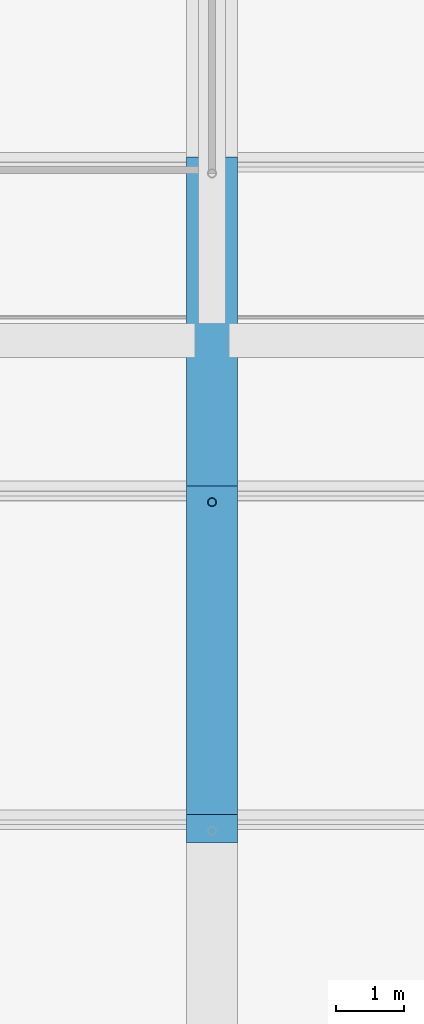
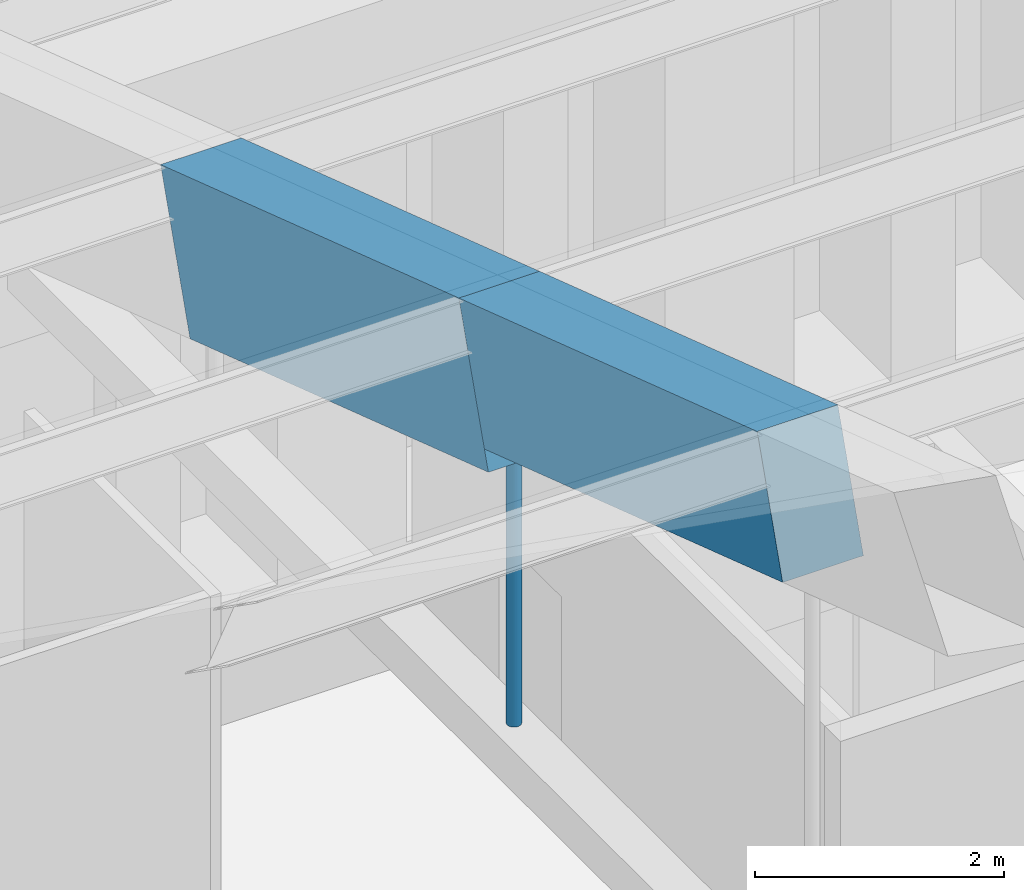
# One storey, part 84 of 149: 2 beams, 1 member.
"""IFC4 building model written with IfcOpenShell, lengths in metres."""

import ifcopenshell
import ifcopenshell.guid

model = None  # the IFC model being written
_history = None  # IfcOwnerHistory: only IFC2X3 demands one
_inside = {}  # id of a spatial element -> (the spatial element, [elements in it])
_under = {}  # id of a project, library or spatial element -> (it, [spatial elements below it])
_declared = {}  # id of a project -> (the project, [libraries it declares])
_typed = {}  # id of a type object -> (the type object, [elements of that type])
_made_of = {}  # id of a material, layer set ... -> (it, [elements and type objects made of it])


def new_model(schema):
    """Start an empty IFC model of exactly this schema.

    Asked for "IFC4X3", IfcOpenShell would pick the latest addendum, in which some entities
    have other attributes; the version numbers below select the first issue.
    IFC2X3 requires an IfcOwnerHistory on every rooted entity: one is made here for all.
    """
    global model, _history
    if schema == "IFC4X3":
        model = ifcopenshell.file(schema_version=(4, 3, 0, 0))
    else:
        model = ifcopenshell.file(schema=schema)
    _inside.clear()
    _under.clear()
    _declared.clear()
    _typed.clear()
    _made_of.clear()
    _history = None
    if model.schema == "IFC2X3":
        org = make("IfcOrganization", Name="unknown")
        user = make(
            "IfcPersonAndOrganization",
            ThePerson=make("IfcPerson", FamilyName="unknown"),
            TheOrganization=org,
        )
        app = make(
            "IfcApplication",
            ApplicationDeveloper=org,
            Version="unknown",
            ApplicationFullName="unknown",
            ApplicationIdentifier="unknown",
        )
        _history = make(
            "IfcOwnerHistory",
            OwningUser=user,
            OwningApplication=app,
            ChangeAction="ADDED",
            CreationDate=0,
        )
    return model


def make(cls, **values):
    """One entity of the class cls with the attributes given. An attribute that is None is left unset."""
    return model.create_entity(
        cls, **{name: value for name, value in values.items() if value is not None}
    )


def rooted(cls, **values):
    """An entity with a GlobalId (a new one), such as an element, a storey or a relation."""
    return make(cls, GlobalId=ifcopenshell.guid.new(), OwnerHistory=_history, **values)


def si_unit(unit_type, name, prefix=None):
    """IfcSIUnit, for example si_unit("LENGTHUNIT", "METRE", prefix="MILLI")."""
    return make("IfcSIUnit", UnitType=unit_type, Prefix=prefix, Name=name)


def assignment(units):
    """IfcUnitAssignment: the units of a project."""
    return None if units is None else make("IfcUnitAssignment", Units=units)


def point(xyz):
    """IfcCartesianPoint."""
    return None if xyz is None else make("IfcCartesianPoint", Coordinates=xyz)


def direction(xyz):
    """IfcDirection."""
    return None if xyz is None else make("IfcDirection", DirectionRatios=xyz)


def frame(location, z_axis=None, x_axis=None):
    """IfcAxis2Placement3D, a coordinate frame: its origin and axes. An axis left out is left unset."""
    return make(
        "IfcAxis2Placement3D",
        Location=point(location),
        Axis=direction(z_axis),
        RefDirection=direction(x_axis),
    )


def frame_2d(location, x_axis=None):
    """IfcAxis2Placement2D, a coordinate frame in the plane: its origin and x axis."""
    return make(
        "IfcAxis2Placement2D", Location=point(location), RefDirection=direction(x_axis)
    )


def origin():
    """The frame at (0, 0, 0) with its axes left unset."""
    return frame((0.0, 0.0, 0.0))


def origin_2d():
    """The frame at (0, 0) in the plane with its x axis left unset."""
    return frame_2d((0.0, 0.0))


def place(relative_to, where):
    """IfcLocalPlacement: puts the frame where relative to a parent placement (None: the world)."""
    return make(
        "IfcLocalPlacement", PlacementRelTo=relative_to, RelativePlacement=where
    )


def context(
    kind, dimensions, precision=None, world=None, true_north=None, identifier=None
):
    """IfcGeometricRepresentationContext, for example the 3D "Model" context."""
    return make(
        "IfcGeometricRepresentationContext",
        ContextIdentifier=identifier,
        ContextType=kind,
        CoordinateSpaceDimension=dimensions,
        Precision=precision,
        WorldCoordinateSystem=world,
        TrueNorth=true_north,
    )


def subcontext(parent, identifier, kind, view, scale=None):
    """IfcGeometricRepresentationSubContext, for example "Body" below "Model"."""
    return make(
        "IfcGeometricRepresentationSubContext",
        ContextIdentifier=identifier,
        ContextType=kind,
        ParentContext=parent,
        TargetScale=scale,
        TargetView=view,
    )


def project(units=None, contexts=None):
    """IfcProject with its units and contexts."""
    return rooted(
        "IfcProject",
        Name="project",
        RepresentationContexts=contexts,
        UnitsInContext=assignment(units),
    )


def spatial(cls, under=None, at=None, **own):
    """A site, building, storey or space (cls), placed at a placement, below another one or the project."""
    s = rooted(cls, ObjectPlacement=at, **own)
    if under is not None:
        _under.setdefault(under.id(), (under, []))[1].append(s)
    return s


def profile(cls, at=None, kind="AREA", **sizes):
    """A parametric profile (cls). Its sizes go by their IFC names, for example OverallWidth=200.0."""
    return make(cls, ProfileType=kind, Position=at, **sizes)


def rectangle(**sizes):
    """IfcRectangleProfileDef."""
    return profile("IfcRectangleProfileDef", **sizes)


def hollow_circle(**sizes):
    """IfcCircleHollowProfileDef."""
    return profile("IfcCircleHollowProfileDef", **sizes)


def extrude(swept, where, along, depth):
    """IfcExtrudedAreaSolid: the profile swept, set in the frame where, extruded along a direction by depth."""
    return make(
        "IfcExtrudedAreaSolid",
        SweptArea=swept,
        Position=where,
        ExtrudedDirection=direction(along),
        Depth=depth,
    )


def shape(context_of_items, identifier, shape_type, items):
    """IfcShapeRepresentation: the items that make up one representation, for example the "Body"."""
    return make(
        "IfcShapeRepresentation",
        ContextOfItems=context_of_items,
        RepresentationIdentifier=identifier,
        RepresentationType=shape_type,
        Items=items,
    )


def material(Name=None, Category=None):
    """IfcMaterial."""
    return make("IfcMaterial", Name=Name, Category=Category)


def material_profile(
    of_material, cross_section, Name=None, Category=None, Priority=None
):
    """IfcMaterialProfile: a cross section and its material."""
    return make(
        "IfcMaterialProfile",
        Name=Name,
        Material=of_material,
        Profile=cross_section,
        Priority=Priority,
        Category=Category,
    )


def profile_set(profiles, Name=None, composite=None):
    """IfcMaterialProfileSet."""
    return make(
        "IfcMaterialProfileSet",
        Name=Name,
        MaterialProfiles=profiles,
        CompositeProfile=composite,
    )


def made_of(thing, what):
    """Note that an element or type object is made of a material, layer set ...; save() writes the relation."""
    if what is not None:
        _made_of.setdefault(what.id(), (what, []))[1].append(thing)
    return thing


def type_object(cls, material=None, **own):
    """A type object (cls), such as IfcWallType, which elements share."""
    return made_of(rooted(cls, **own), material)


def element(
    cls,
    number,
    at=None,
    inside=None,
    cuts=None,
    type_object=None,
    material=None,
    context=None,
    identifier="Body",
    shape_type=None,
    held_by="IfcProductDefinitionShape",
    body=None,
    shapes=None,
    **own,
):
    """One element of the class cls, such as IfcWall. Its Tag is "e" and its number.

    at: its placement. inside: the storey or other place that contains it. cuts: it is an
    opening in that element (IfcRelVoidsElement). A single representation is given by context,
    identifier, shape_type and body (its items); several are given by shapes. held_by: the class
    of the entity that holds the representations. save() writes the other relations.
    """
    e = rooted(cls, Tag="e%d" % number, ObjectPlacement=at, **own)
    if body is not None:
        shapes = [shape(context, identifier, shape_type, body)]
    if shapes is not None:
        e.Representation = make(held_by, Representations=shapes)
    if inside is not None:
        _inside.setdefault(inside.id(), (inside, []))[1].append(e)
    if cuts is not None:
        rooted(
            "IfcRelVoidsElement", RelatingBuildingElement=cuts, RelatedOpeningElement=e
        )
    if type_object is not None:
        _typed.setdefault(type_object.id(), (type_object, []))[1].append(e)
    return made_of(e, material)


def aggregate(whole, parts):
    """IfcRelAggregates: a whole, such as a stair, and the parts it consists of."""
    return rooted("IfcRelAggregates", RelatingObject=whole, RelatedObjects=parts)


def save(model, path):
    """Write the relations noted so far, then the file.

    IfcRelAggregates (storeys below a building ...), IfcRelContainedInSpatialStructure (elements
    in a storey), IfcRelDefinesByType, IfcRelAssociatesMaterial and IfcRelDeclares: one each for
    every whole, place, type object, material and project.
    """
    for whole, parts in _under.values():
        aggregate(whole, parts)
    for where, things in _inside.values():
        rooted(
            "IfcRelContainedInSpatialStructure",
            RelatedElements=things,
            RelatingStructure=where,
        )
    for kind, things in _typed.values():
        rooted("IfcRelDefinesByType", RelatedObjects=things, RelatingType=kind)
    for what, things in _made_of.values():
        rooted("IfcRelAssociatesMaterial", RelatedObjects=things, RelatingMaterial=what)
    for by, libraries in _declared.values():
        rooted("IfcRelDeclares", RelatingContext=by, RelatedDefinitions=libraries)
    model.write(path)


model = new_model("IFC4")

# Units and contexts
model_context = context("Model", 3, precision=1e-05, world=origin(), true_north=direction((0.0, 1.0)))
body_context = subcontext(model_context, "Body", "Model", "MODEL_VIEW")
ifc_project = project(units=[si_unit("LENGTHUNIT", "METRE"), si_unit("AREAUNIT", "SQUARE_METRE"), si_unit("VOLUMEUNIT", "CUBIC_METRE"), si_unit("PLANEANGLEUNIT", "RADIAN"), si_unit("MASSUNIT", "GRAM", prefix="KILO")], contexts=[model_context])

# Site, building, storey
site_placement = place(None, origin())
site = spatial("IfcSite", under=ifc_project, at=site_placement, CompositionType="ELEMENT")
building_placement = place(site_placement, origin())
building = spatial("IfcBuilding", under=site, at=building_placement, Name="Alderwick Market Hall", CompositionType="ELEMENT")
storey_placement = place(building_placement, frame((0.0, 0.0, 9.60009765625)))
storey = spatial("IfcBuildingStorey", under=building, at=storey_placement, Name="L01", CompositionType="ELEMENT", Elevation=9.60009765625)

# Beams
ifc_material_1 = material(Name="Concrete 5000 psi (f'c 35 MPa)", Category="concrete")
ifc_material_profile_1 = material_profile(ifc_material_1, rectangle(XDim=0.75, YDim=1.300048828125, at=origin_2d()), Name="RC 750x1300")
ifc_profile_set_1 = profile_set([ifc_material_profile_1], Name="Concrete 5000 psi (f'c 35 MPa)")
beam_type_1 = type_object("IfcBeamType", Name="R Arch Rib Haunch 750x1300", PredefinedType="BEAM", material=ifc_profile_set_1)
beam_1_placement = place(storey_placement, frame((136.800048828125, 93.631591796875, 11.494873046875), z_axis=(0.0, 0.948678472761, -0.316242241517), x_axis=(-1.0, 0.0, 0.0)))
element("IfcBeam", 1, at=beam_1_placement, inside=storey, type_object=beam_type_1, Name="Arch rib 7 chord 10", PredefinedType="BEAM", context=body_context, shape_type="SweptSolid", body=[
    extrude(rectangle(XDim=0.75, YDim=1.300048828125, at=origin_2d()), origin(), (0.0, 0.0, 1.0), 5.059814453125),
])
ifc_material_profile_2 = material_profile(ifc_material_1, rectangle(XDim=0.75, YDim=1.5, at=origin_2d()), Name="RC 750x1500")
ifc_profile_set_2 = profile_set([ifc_material_profile_2], Name="Concrete 5000 psi (f'c 35 MPa)")
beam_type_2 = type_object("IfcBeamType", Name="R Arch Rib Springing 750x1500", PredefinedType="BEAM", material=ifc_profile_set_2)
beam_2_placement = place(storey_placement, frame((136.800048828125, 98.39990234375, 9.7998046875), z_axis=(0.0, 0.948692948114, -0.316198814353), x_axis=(-1.0, 0.0, 0.0)))
element("IfcBeam", 2, at=beam_2_placement, inside=storey, type_object=beam_type_2, Name="Arch rib 7 chord 11", PredefinedType="BEAM", context=body_context, shape_type="SweptSolid", body=[
    extrude(rectangle(XDim=0.75, YDim=1.5, at=origin_2d()), origin(), (0.0, 0.0, 1.0), 5.0595703125),
])

# Member
ifc_material_2 = material(Name="Steel ASTM A500 Grade C", Category="steel")
ifc_material_profile_3 = material_profile(ifc_material_2, hollow_circle(Radius=0.0634765625, WallThickness=0.005859375, at=origin_2d()), Name="HSS5.000x0.250")
ifc_profile_set_3 = profile_set([ifc_material_profile_3], Name="Steel ASTM A500 Grade C")
member_type = type_object("IfcMemberType", Name="R Hanger HSS5.000x0.250", PredefinedType="POST", material=ifc_profile_set_3)
member_placement = place(storey_placement, frame((136.800048828125, 98.39990234375, 6.35302734375), z_axis=(0.0, 0.0, 1.0), x_axis=(1.0, 0.0, 0.0)))
element("IfcMember", 3, at=member_placement, inside=storey, type_object=member_type, Name="Arch hanger 7.10", PredefinedType="POST", context=body_context, shape_type="SweptSolid", body=[
    extrude(hollow_circle(Radius=0.0634765625, WallThickness=0.005859375, at=origin_2d()), origin(), (0.0, 0.0, 1.0), 2.63525390625),
])

save(model, "model.ifc")
